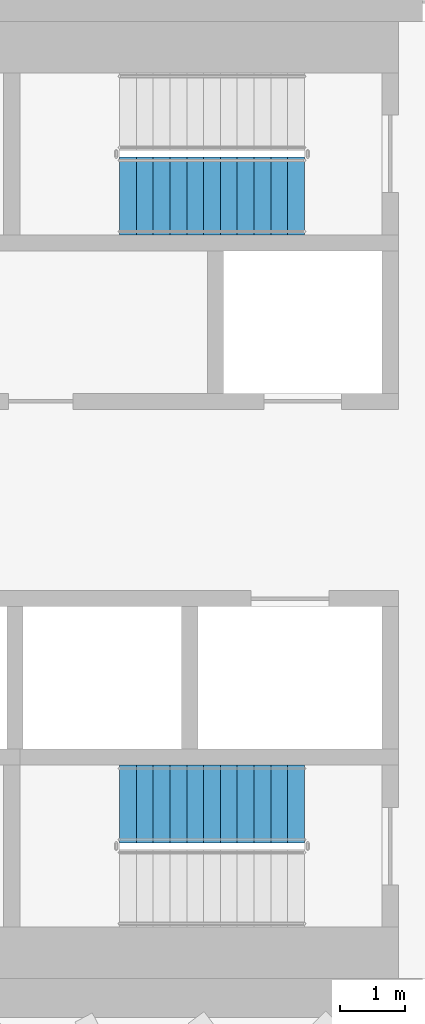
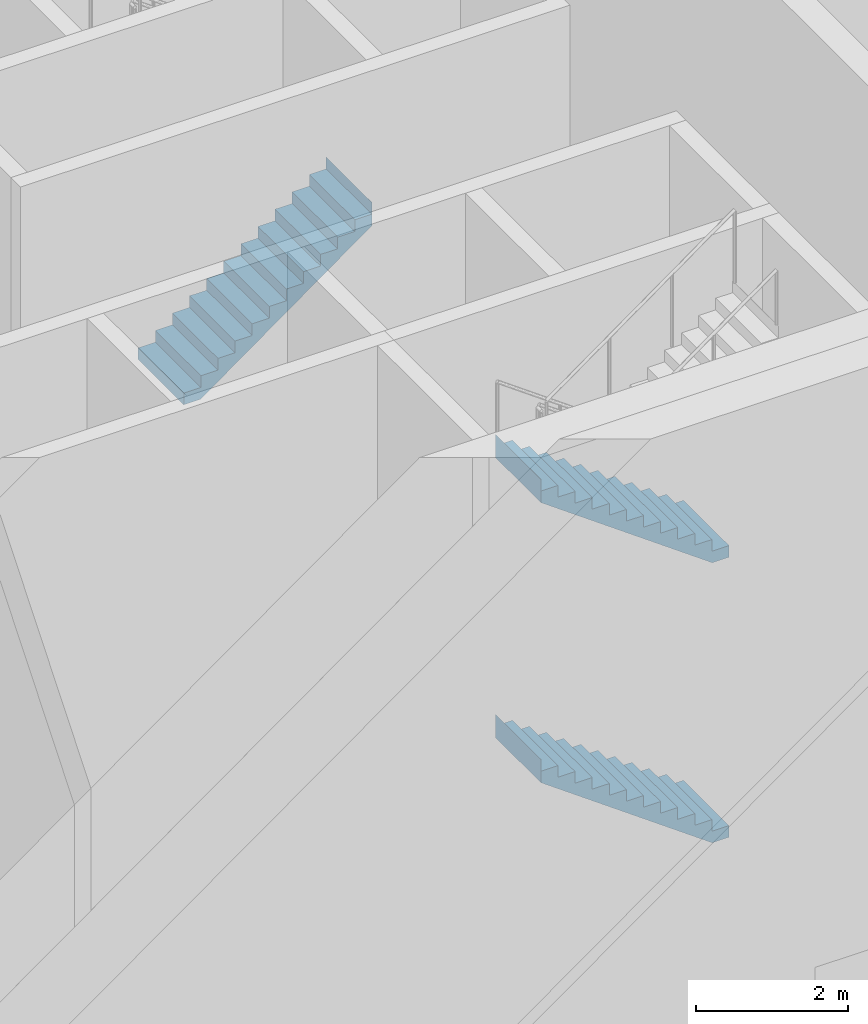
# One storey, part 21 of 35: 3 stair flights, 2 elements without a shape of their own.
"""IFC4 building model written with IfcOpenShell, lengths in metres."""

from ifc_helpers import new_model, si_unit, direction, frame, origin, place, context, subcontext, project, spatial, triangles, material, type_object, element, aggregate, save


model = new_model("IFC4")

# Units and contexts
model_context = context("Model", 3, precision=1e-05, world=origin(), true_north=direction((0.0, 1.0)))
body_context = subcontext(model_context, "Body", "Model", "MODEL_VIEW")
ifc_project = project(units=[si_unit("LENGTHUNIT", "METRE"), si_unit("AREAUNIT", "SQUARE_METRE"), si_unit("VOLUMEUNIT", "CUBIC_METRE"), si_unit("PLANEANGLEUNIT", "RADIAN"), si_unit("MASSUNIT", "GRAM", prefix="KILO")], contexts=[model_context])

# Site, building, storey
site_placement = place(None, origin())
site = spatial("IfcSite", under=ifc_project, at=site_placement, CompositionType="ELEMENT")
building_placement = place(site_placement, origin())
building = spatial("IfcBuilding", under=site, at=building_placement, Name="Sahrelin Media Tower", CompositionType="ELEMENT")
storey_placement = place(building_placement, frame((0.0, 0.0, 17.0)))
storey = spatial("IfcBuildingStorey", under=building, at=storey_placement, Name="L02", CompositionType="ELEMENT", Elevation=17.0)

# Stair, stair flight
ifc_material = material(Name="Concrete C40/50", Category="concrete")
stair_type = type_object("IfcStairType", Name="Exit stair 1200", PredefinedType="HALF_TURN_STAIR", material=ifc_material)
placement = place(storey_placement, origin())
stair_1 = element("IfcStair", 1, at=placement, inside=storey, type_object=stair_type, Name="L02 Exit stair ST3", PredefinedType="HALF_TURN_STAIR")
stair_flight_type = type_object("IfcStairFlightType", Name="Stair flight 1200", PredefinedType="STRAIGHT", material=ifc_material)
stair_flight_1_placement = place(storey_placement, frame((4.81494140625, 4.699951171875, 2.25), z_axis=(0.0, 0.0, 1.0), x_axis=(1.0, 0.0, 0.0)))
stair_flight_1 = element("IfcStairFlight", 2, at=stair_flight_1_placement, type_object=stair_flight_type, Name="ST3 flight 2", NumberOfRisers=12, NumberOfTreads=11, PredefinedType="STRAIGHT", RiserHeight=0.1875, TreadLength=0.26, context=body_context, shape_type="Tessellation", body=[
    triangles([(0.25634765625, 0.60009765625, 0.0), (0.25634765625, 0.300048828125, 0.0), (0.25634765625, 0.0, 0.0), (0.25634765625, -0.300048828125, 0.0), (0.25634765625, -0.60009765625, 0.0), (2.860107421875, 0.60009765625, 1.877685546875), (2.860107421875, 0.300048828125, 1.877685546875), (2.860107421875, 0.0, 1.877685546875), (2.860107421875, -0.300048828125, 1.877685546875), (2.860107421875, -0.60009765625, 1.877685546875), (2.860107421875, 0.60009765625, 2.25), (2.860107421875, 0.300048828125, 2.25), (2.860107421875, 0.0, 2.25), (2.860107421875, -0.300048828125, 2.25), (2.860107421875, -0.60009765625, 2.25), (2.85791015625, 0.60009765625, 2.25), (2.85791015625, 0.300048828125, 2.25), (2.85791015625, 0.0, 2.25), (2.85791015625, -0.300048828125, 2.25), (2.85791015625, -0.60009765625, 2.25), (2.85791015625, 0.60009765625, 2.0625), (2.85791015625, 0.300048828125, 2.0625), (2.85791015625, 0.0, 2.0625), (2.85791015625, -0.300048828125, 2.0625), (2.85791015625, -0.60009765625, 2.0625), (2.60009765625, 0.60009765625, 2.0625), (2.60009765625, 0.300048828125, 2.0625), (2.60009765625, 0.0, 2.0625), (2.60009765625, -0.300048828125, 2.0625), (2.60009765625, -0.60009765625, 2.0625), (2.60009765625, 0.60009765625, 1.875), (2.60009765625, 0.300048828125, 1.875), (2.60009765625, 0.0, 1.875), (2.60009765625, -0.300048828125, 1.875), (2.60009765625, -0.60009765625, 1.875), (2.340087890625, 0.60009765625, 1.875), (2.340087890625, 0.300048828125, 1.875), (2.340087890625, 0.0, 1.875), (2.340087890625, -0.300048828125, 1.875), (2.340087890625, -0.60009765625, 1.875), (2.340087890625, 0.60009765625, 1.6875), (2.340087890625, 0.300048828125, 1.6875), (2.340087890625, 0.0, 1.6875), (2.340087890625, -0.300048828125, 1.6875), (2.340087890625, -0.60009765625, 1.6875), (2.080078125, 0.60009765625, 1.6875), (2.080078125, 0.300048828125, 1.6875), (2.080078125, 0.0, 1.6875), (2.080078125, -0.300048828125, 1.6875), (2.080078125, -0.60009765625, 1.6875), (2.080078125, 0.60009765625, 1.5), (2.080078125, 0.300048828125, 1.5), (2.080078125, 0.0, 1.5), (2.080078125, -0.300048828125, 1.5), (2.080078125, -0.60009765625, 1.5), (1.820068359375, 0.60009765625, 1.5), (1.820068359375, 0.300048828125, 1.5), (1.820068359375, 0.0, 1.5), (1.820068359375, -0.300048828125, 1.5), (1.820068359375, -0.60009765625, 1.5), (1.820068359375, 0.60009765625, 1.3125), (1.820068359375, 0.300048828125, 1.3125), (1.820068359375, 0.0, 1.3125), (1.820068359375, -0.300048828125, 1.3125), (1.820068359375, -0.60009765625, 1.3125), (1.56005859375, 0.60009765625, 1.3125), (1.56005859375, 0.300048828125, 1.3125), (1.56005859375, 0.0, 1.3125), (1.56005859375, -0.300048828125, 1.3125), (1.56005859375, -0.60009765625, 1.3125), (1.56005859375, 0.60009765625, 1.125), (1.56005859375, 0.300048828125, 1.125), (1.56005859375, 0.0, 1.125), (1.56005859375, -0.300048828125, 1.125), (1.56005859375, -0.60009765625, 1.125), (1.300048828125, 0.60009765625, 1.125), (1.300048828125, 0.300048828125, 1.125), (1.300048828125, 0.0, 1.125), (1.300048828125, -0.300048828125, 1.125), (1.300048828125, -0.60009765625, 1.125), (1.300048828125, 0.60009765625, 0.9375), (1.300048828125, 0.300048828125, 0.9375), (1.300048828125, 0.0, 0.9375), (1.300048828125, -0.300048828125, 0.9375), (1.300048828125, -0.60009765625, 0.9375), (1.0400390625, 0.60009765625, 0.9375), (1.0400390625, 0.300048828125, 0.9375), (1.0400390625, 0.0, 0.9375), (1.0400390625, -0.300048828125, 0.9375), (1.0400390625, -0.60009765625, 0.9375), (1.0400390625, 0.60009765625, 0.75), (1.0400390625, 0.300048828125, 0.75), (1.0400390625, 0.0, 0.75), (1.0400390625, -0.300048828125, 0.75), (1.0400390625, -0.60009765625, 0.75), (0.780029296875, 0.60009765625, 0.75), (0.780029296875, 0.300048828125, 0.75), (0.780029296875, 0.0, 0.75), (0.780029296875, -0.300048828125, 0.75), (0.780029296875, -0.60009765625, 0.75), (0.780029296875, 0.60009765625, 0.5625), (0.780029296875, 0.300048828125, 0.5625), (0.780029296875, 0.0, 0.5625), (0.780029296875, -0.300048828125, 0.5625), (0.780029296875, -0.60009765625, 0.5625), (0.52001953125, 0.60009765625, 0.5625), (0.52001953125, 0.300048828125, 0.5625), (0.52001953125, 0.0, 0.5625), (0.52001953125, -0.300048828125, 0.5625), (0.52001953125, -0.60009765625, 0.5625), (0.52001953125, 0.60009765625, 0.375), (0.52001953125, 0.300048828125, 0.375), (0.52001953125, 0.0, 0.375), (0.52001953125, -0.300048828125, 0.375), (0.52001953125, -0.60009765625, 0.375), (0.260009765625, 0.60009765625, 0.375), (0.260009765625, 0.300048828125, 0.375), (0.260009765625, 0.0, 0.375), (0.260009765625, -0.300048828125, 0.375), (0.260009765625, -0.60009765625, 0.375), (0.260009765625, 0.60009765625, 0.1875), (0.260009765625, 0.300048828125, 0.1875), (0.260009765625, 0.0, 0.1875), (0.260009765625, -0.300048828125, 0.1875), (0.260009765625, -0.60009765625, 0.1875), (0.0, 0.60009765625, 0.1875), (0.0, 0.300048828125, 0.1875), (0.0, 0.0, 0.1875), (0.0, -0.300048828125, 0.1875), (0.0, -0.60009765625, 0.1875), (0.0, 0.60009765625, 0.0), (0.0, 0.300048828125, 0.0), (0.0, 0.0, 0.0), (0.0, -0.300048828125, 0.0), (0.0, -0.60009765625, 0.0)], [[1, 6, 7], [1, 7, 2], [2, 7, 8], [2, 8, 3], [3, 8, 9], [3, 9, 4], [4, 9, 10], [4, 10, 5], [6, 11, 12], [6, 12, 7], [7, 12, 13], [7, 13, 8], [8, 13, 14], [8, 14, 9], [9, 14, 15], [9, 15, 10], [11, 16, 17], [11, 17, 12], [12, 17, 18], [12, 18, 13], [13, 18, 19], [13, 19, 14], [14, 19, 20], [14, 20, 15], [16, 21, 22], [16, 22, 17], [17, 22, 23], [17, 23, 18], [18, 23, 24], [18, 24, 19], [19, 24, 25], [19, 25, 20], [21, 26, 27], [21, 27, 22], [22, 27, 28], [22, 28, 23], [23, 28, 29], [23, 29, 24], [24, 29, 30], [24, 30, 25], [26, 31, 32], [26, 32, 27], [27, 32, 33], [27, 33, 28], [28, 33, 34], [28, 34, 29], [29, 34, 35], [29, 35, 30], [31, 36, 37], [31, 37, 32], [32, 37, 38], [32, 38, 33], [33, 38, 39], [33, 39, 34], [34, 39, 40], [34, 40, 35], [36, 41, 42], [36, 42, 37], [37, 42, 43], [37, 43, 38], [38, 43, 44], [38, 44, 39], [39, 44, 45], [39, 45, 40], [41, 46, 47], [41, 47, 42], [42, 47, 48], [42, 48, 43], [43, 48, 49], [43, 49, 44], [44, 49, 50], [44, 50, 45], [46, 51, 52], [46, 52, 47], [47, 52, 53], [47, 53, 48], [48, 53, 54], [48, 54, 49], [49, 54, 55], [49, 55, 50], [51, 56, 57], [51, 57, 52], [52, 57, 58], [52, 58, 53], [53, 58, 59], [53, 59, 54], [54, 59, 60], [54, 60, 55], [56, 61, 62], [56, 62, 57], [57, 62, 63], [57, 63, 58], [58, 63, 64], [58, 64, 59], [59, 64, 65], [59, 65, 60], [61, 66, 67], [61, 67, 62], [62, 67, 68], [62, 68, 63], [63, 68, 69], [63, 69, 64], [64, 69, 70], [64, 70, 65], [66, 71, 72], [66, 72, 67], [67, 72, 73], [67, 73, 68], [68, 73, 74], [68, 74, 69], [69, 74, 75], [69, 75, 70], [71, 76, 77], [71, 77, 72], [72, 77, 78], [72, 78, 73], [73, 78, 79], [73, 79, 74], [74, 79, 80], [74, 80, 75], [76, 81, 82], [76, 82, 77], [77, 82, 83], [77, 83, 78], [78, 83, 84], [78, 84, 79], [79, 84, 85], [79, 85, 80], [81, 86, 87], [81, 87, 82], [82, 87, 88], [82, 88, 83], [83, 88, 89], [83, 89, 84], [84, 89, 90], [84, 90, 85], [86, 91, 92], [86, 92, 87], [87, 92, 93], [87, 93, 88], [88, 93, 94], [88, 94, 89], [89, 94, 95], [89, 95, 90], [91, 96, 97], [91, 97, 92], [92, 97, 98], [92, 98, 93], [93, 98, 99], [93, 99, 94], [94, 99, 100], [94, 100, 95], [96, 101, 102], [96, 102, 97], [97, 102, 103], [97, 103, 98], [98, 103, 104], [98, 104, 99], [99, 104, 105], [99, 105, 100], [101, 106, 107], [101, 107, 102], [102, 107, 108], [102, 108, 103], [103, 108, 109], [103, 109, 104], [104, 109, 110], [104, 110, 105], [106, 111, 112], [106, 112, 107], [107, 112, 113], [107, 113, 108], [108, 113, 114], [108, 114, 109], [109, 114, 115], [109, 115, 110], [111, 116, 117], [111, 117, 112], [112, 117, 118], [112, 118, 113], [113, 118, 119], [113, 119, 114], [114, 119, 120], [114, 120, 115], [116, 121, 122], [116, 122, 117], [117, 122, 123], [117, 123, 118], [118, 123, 124], [118, 124, 119], [119, 124, 125], [119, 125, 120], [121, 126, 127], [121, 127, 122], [122, 127, 128], [122, 128, 123], [123, 128, 129], [123, 129, 124], [124, 129, 130], [124, 130, 125], [126, 131, 132], [126, 132, 127], [127, 132, 133], [127, 133, 128], [128, 133, 134], [128, 134, 129], [129, 134, 135], [129, 135, 130], [131, 1, 2], [131, 2, 132], [132, 2, 3], [132, 3, 133], [133, 3, 4], [133, 4, 134], [134, 4, 5], [134, 5, 135], [5, 130, 135], [1, 131, 126], [125, 115, 120], [121, 116, 111], [115, 105, 110], [111, 106, 101], [105, 95, 100], [101, 96, 91], [95, 85, 90], [91, 86, 81], [85, 75, 80], [81, 76, 71], [75, 65, 70], [71, 66, 61], [65, 55, 60], [61, 56, 51], [55, 45, 50], [51, 46, 41], [45, 35, 40], [41, 36, 31], [35, 25, 30], [31, 26, 21], [25, 15, 20], [21, 16, 11], [5, 125, 130], [1, 126, 121], [10, 35, 45], [6, 41, 31], [25, 10, 15], [21, 11, 6], [115, 125, 5], [111, 1, 121], [35, 10, 25], [31, 21, 6], [105, 115, 5], [101, 1, 111], [45, 55, 10], [41, 6, 51], [95, 105, 5], [91, 1, 101], [65, 10, 55], [61, 51, 6], [85, 95, 5], [81, 1, 91], [75, 10, 65], [71, 61, 6], [75, 85, 5], [71, 1, 81], [5, 10, 75], [1, 71, 6]], closed=True),
])
aggregate(stair_1, [stair_flight_1])

# Stair, stair flights
stair_2 = element("IfcStair", 3, at=placement, inside=storey, type_object=stair_type, Name="L02 Exit stair ST2", PredefinedType="HALF_TURN_STAIR")
stair_flight_2_placement = place(storey_placement, frame((7.675048828125, -4.699951171875, 0.0), z_axis=(0.0, 0.0, 1.0), x_axis=(-1.0, 0.0, 0.0)))
stair_flight_2 = element("IfcStairFlight", 4, at=stair_flight_2_placement, type_object=stair_flight_type, Name="ST2 flight 1", NumberOfRisers=12, NumberOfTreads=11, PredefinedType="STRAIGHT", RiserHeight=0.1875, TreadLength=0.26, context=body_context, shape_type="Tessellation", body=[
    triangles([(0.25634765625, 0.60009765625, 0.0), (0.25634765625, 0.300048828125, 0.0), (0.25634765625, 0.0, 0.0), (0.25634765625, -0.300048828125, 0.0), (0.25634765625, -0.60009765625, 0.0), (2.860107421875, 0.60009765625, 1.877685546875), (2.860107421875, 0.300048828125, 1.877685546875), (2.860107421875, 0.0, 1.877685546875), (2.860107421875, -0.300048828125, 1.877685546875), (2.860107421875, -0.60009765625, 1.877685546875), (2.860107421875, 0.60009765625, 2.25), (2.860107421875, 0.300048828125, 2.25), (2.860107421875, 0.0, 2.25), (2.860107421875, -0.300048828125, 2.25), (2.860107421875, -0.60009765625, 2.25), (2.85791015625, 0.60009765625, 2.25), (2.85791015625, 0.300048828125, 2.25), (2.85791015625, 0.0, 2.25), (2.85791015625, -0.300048828125, 2.25), (2.85791015625, -0.60009765625, 2.25), (2.85791015625, 0.60009765625, 2.0625), (2.85791015625, 0.300048828125, 2.0625), (2.85791015625, 0.0, 2.0625), (2.85791015625, -0.300048828125, 2.0625), (2.85791015625, -0.60009765625, 2.0625), (2.60009765625, 0.60009765625, 2.0625), (2.60009765625, 0.300048828125, 2.0625), (2.60009765625, 0.0, 2.0625), (2.60009765625, -0.300048828125, 2.0625), (2.60009765625, -0.60009765625, 2.0625), (2.60009765625, 0.60009765625, 1.875), (2.60009765625, 0.300048828125, 1.875), (2.60009765625, 0.0, 1.875), (2.60009765625, -0.300048828125, 1.875), (2.60009765625, -0.60009765625, 1.875), (2.340087890625, 0.60009765625, 1.875), (2.340087890625, 0.300048828125, 1.875), (2.340087890625, 0.0, 1.875), (2.340087890625, -0.300048828125, 1.875), (2.340087890625, -0.60009765625, 1.875), (2.340087890625, 0.60009765625, 1.6875), (2.340087890625, 0.300048828125, 1.6875), (2.340087890625, 0.0, 1.6875), (2.340087890625, -0.300048828125, 1.6875), (2.340087890625, -0.60009765625, 1.6875), (2.080078125, 0.60009765625, 1.6875), (2.080078125, 0.300048828125, 1.6875), (2.080078125, 0.0, 1.6875), (2.080078125, -0.300048828125, 1.6875), (2.080078125, -0.60009765625, 1.6875), (2.080078125, 0.60009765625, 1.5), (2.080078125, 0.300048828125, 1.5), (2.080078125, 0.0, 1.5), (2.080078125, -0.300048828125, 1.5), (2.080078125, -0.60009765625, 1.5), (1.820068359375, 0.60009765625, 1.5), (1.820068359375, 0.300048828125, 1.5), (1.820068359375, 0.0, 1.5), (1.820068359375, -0.300048828125, 1.5), (1.820068359375, -0.60009765625, 1.5), (1.820068359375, 0.60009765625, 1.3125), (1.820068359375, 0.300048828125, 1.3125), (1.820068359375, 0.0, 1.3125), (1.820068359375, -0.300048828125, 1.3125), (1.820068359375, -0.60009765625, 1.3125), (1.56005859375, 0.60009765625, 1.3125), (1.56005859375, 0.300048828125, 1.3125), (1.56005859375, 0.0, 1.3125), (1.56005859375, -0.300048828125, 1.3125), (1.56005859375, -0.60009765625, 1.3125), (1.56005859375, 0.60009765625, 1.125), (1.56005859375, 0.300048828125, 1.125), (1.56005859375, 0.0, 1.125), (1.56005859375, -0.300048828125, 1.125), (1.56005859375, -0.60009765625, 1.125), (1.300048828125, 0.60009765625, 1.125), (1.300048828125, 0.300048828125, 1.125), (1.300048828125, 0.0, 1.125), (1.300048828125, -0.300048828125, 1.125), (1.300048828125, -0.60009765625, 1.125), (1.300048828125, 0.60009765625, 0.9375), (1.300048828125, 0.300048828125, 0.9375), (1.300048828125, 0.0, 0.9375), (1.300048828125, -0.300048828125, 0.9375), (1.300048828125, -0.60009765625, 0.9375), (1.0400390625, 0.60009765625, 0.9375), (1.0400390625, 0.300048828125, 0.9375), (1.0400390625, 0.0, 0.9375), (1.0400390625, -0.300048828125, 0.9375), (1.0400390625, -0.60009765625, 0.9375), (1.0400390625, 0.60009765625, 0.75), (1.0400390625, 0.300048828125, 0.75), (1.0400390625, 0.0, 0.75), (1.0400390625, -0.300048828125, 0.75), (1.0400390625, -0.60009765625, 0.75), (0.780029296875, 0.60009765625, 0.75), (0.780029296875, 0.300048828125, 0.75), (0.780029296875, 0.0, 0.75), (0.780029296875, -0.300048828125, 0.75), (0.780029296875, -0.60009765625, 0.75), (0.780029296875, 0.60009765625, 0.5625), (0.780029296875, 0.300048828125, 0.5625), (0.780029296875, 0.0, 0.5625), (0.780029296875, -0.300048828125, 0.5625), (0.780029296875, -0.60009765625, 0.5625), (0.52001953125, 0.60009765625, 0.5625), (0.52001953125, 0.300048828125, 0.5625), (0.52001953125, 0.0, 0.5625), (0.52001953125, -0.300048828125, 0.5625), (0.52001953125, -0.60009765625, 0.5625), (0.52001953125, 0.60009765625, 0.375), (0.52001953125, 0.300048828125, 0.375), (0.52001953125, 0.0, 0.375), (0.52001953125, -0.300048828125, 0.375), (0.52001953125, -0.60009765625, 0.375), (0.260009765625, 0.60009765625, 0.375), (0.260009765625, 0.300048828125, 0.375), (0.260009765625, 0.0, 0.375), (0.260009765625, -0.300048828125, 0.375), (0.260009765625, -0.60009765625, 0.375), (0.260009765625, 0.60009765625, 0.1875), (0.260009765625, 0.300048828125, 0.1875), (0.260009765625, 0.0, 0.1875), (0.260009765625, -0.300048828125, 0.1875), (0.260009765625, -0.60009765625, 0.1875), (0.0, 0.60009765625, 0.1875), (0.0, 0.300048828125, 0.1875), (0.0, 0.0, 0.1875), (0.0, -0.300048828125, 0.1875), (0.0, -0.60009765625, 0.1875), (0.0, 0.60009765625, 0.0), (0.0, 0.300048828125, 0.0), (0.0, 0.0, 0.0), (0.0, -0.300048828125, 0.0), (0.0, -0.60009765625, 0.0)], [[1, 6, 7], [1, 7, 2], [2, 7, 8], [2, 8, 3], [3, 8, 9], [3, 9, 4], [4, 9, 10], [4, 10, 5], [6, 11, 12], [6, 12, 7], [7, 12, 13], [7, 13, 8], [8, 13, 14], [8, 14, 9], [9, 14, 15], [9, 15, 10], [11, 16, 17], [11, 17, 12], [12, 17, 18], [12, 18, 13], [13, 18, 19], [13, 19, 14], [14, 19, 20], [14, 20, 15], [16, 21, 22], [16, 22, 17], [17, 22, 23], [17, 23, 18], [18, 23, 24], [18, 24, 19], [19, 24, 25], [19, 25, 20], [21, 26, 27], [21, 27, 22], [22, 27, 28], [22, 28, 23], [23, 28, 29], [23, 29, 24], [24, 29, 30], [24, 30, 25], [26, 31, 32], [26, 32, 27], [27, 32, 33], [27, 33, 28], [28, 33, 34], [28, 34, 29], [29, 34, 35], [29, 35, 30], [31, 36, 37], [31, 37, 32], [32, 37, 38], [32, 38, 33], [33, 38, 39], [33, 39, 34], [34, 39, 40], [34, 40, 35], [36, 41, 42], [36, 42, 37], [37, 42, 43], [37, 43, 38], [38, 43, 44], [38, 44, 39], [39, 44, 45], [39, 45, 40], [41, 46, 47], [41, 47, 42], [42, 47, 48], [42, 48, 43], [43, 48, 49], [43, 49, 44], [44, 49, 50], [44, 50, 45], [46, 51, 52], [46, 52, 47], [47, 52, 53], [47, 53, 48], [48, 53, 54], [48, 54, 49], [49, 54, 55], [49, 55, 50], [51, 56, 57], [51, 57, 52], [52, 57, 58], [52, 58, 53], [53, 58, 59], [53, 59, 54], [54, 59, 60], [54, 60, 55], [56, 61, 62], [56, 62, 57], [57, 62, 63], [57, 63, 58], [58, 63, 64], [58, 64, 59], [59, 64, 65], [59, 65, 60], [61, 66, 67], [61, 67, 62], [62, 67, 68], [62, 68, 63], [63, 68, 69], [63, 69, 64], [64, 69, 70], [64, 70, 65], [66, 71, 72], [66, 72, 67], [67, 72, 73], [67, 73, 68], [68, 73, 74], [68, 74, 69], [69, 74, 75], [69, 75, 70], [71, 76, 77], [71, 77, 72], [72, 77, 78], [72, 78, 73], [73, 78, 79], [73, 79, 74], [74, 79, 80], [74, 80, 75], [76, 81, 82], [76, 82, 77], [77, 82, 83], [77, 83, 78], [78, 83, 84], [78, 84, 79], [79, 84, 85], [79, 85, 80], [81, 86, 87], [81, 87, 82], [82, 87, 88], [82, 88, 83], [83, 88, 89], [83, 89, 84], [84, 89, 90], [84, 90, 85], [86, 91, 92], [86, 92, 87], [87, 92, 93], [87, 93, 88], [88, 93, 94], [88, 94, 89], [89, 94, 95], [89, 95, 90], [91, 96, 97], [91, 97, 92], [92, 97, 98], [92, 98, 93], [93, 98, 99], [93, 99, 94], [94, 99, 100], [94, 100, 95], [96, 101, 102], [96, 102, 97], [97, 102, 103], [97, 103, 98], [98, 103, 104], [98, 104, 99], [99, 104, 105], [99, 105, 100], [101, 106, 107], [101, 107, 102], [102, 107, 108], [102, 108, 103], [103, 108, 109], [103, 109, 104], [104, 109, 110], [104, 110, 105], [106, 111, 112], [106, 112, 107], [107, 112, 113], [107, 113, 108], [108, 113, 114], [108, 114, 109], [109, 114, 115], [109, 115, 110], [111, 116, 117], [111, 117, 112], [112, 117, 118], [112, 118, 113], [113, 118, 119], [113, 119, 114], [114, 119, 120], [114, 120, 115], [116, 121, 122], [116, 122, 117], [117, 122, 123], [117, 123, 118], [118, 123, 124], [118, 124, 119], [119, 124, 125], [119, 125, 120], [121, 126, 127], [121, 127, 122], [122, 127, 128], [122, 128, 123], [123, 128, 129], [123, 129, 124], [124, 129, 130], [124, 130, 125], [126, 131, 132], [126, 132, 127], [127, 132, 133], [127, 133, 128], [128, 133, 134], [128, 134, 129], [129, 134, 135], [129, 135, 130], [131, 1, 2], [131, 2, 132], [132, 2, 3], [132, 3, 133], [133, 3, 4], [133, 4, 134], [134, 4, 5], [134, 5, 135], [5, 130, 135], [1, 131, 126], [125, 115, 120], [121, 116, 111], [115, 105, 110], [111, 106, 101], [105, 95, 100], [101, 96, 91], [95, 85, 90], [91, 86, 81], [85, 75, 80], [81, 76, 71], [75, 65, 70], [71, 66, 61], [65, 55, 60], [61, 56, 51], [55, 45, 50], [51, 46, 41], [45, 35, 40], [41, 36, 31], [35, 25, 30], [31, 26, 21], [25, 15, 20], [21, 16, 11], [5, 125, 130], [1, 126, 121], [10, 35, 45], [6, 41, 31], [25, 10, 15], [21, 11, 6], [115, 125, 5], [111, 1, 121], [35, 10, 25], [31, 21, 6], [105, 115, 5], [101, 1, 111], [45, 55, 10], [41, 6, 51], [95, 105, 5], [91, 1, 101], [65, 10, 55], [61, 51, 6], [85, 95, 5], [81, 1, 91], [75, 10, 65], [71, 61, 6], [75, 85, 5], [71, 1, 81], [5, 10, 75], [1, 71, 6]], closed=True),
])
stair_flight_3_placement = place(storey_placement, frame((7.675048828125, -4.699951171875, 4.5), z_axis=(0.0, 0.0, 1.0), x_axis=(-1.0, 0.0, 0.0)))
stair_flight_3 = element("IfcStairFlight", 5, at=stair_flight_3_placement, type_object=stair_flight_type, Name="ST2 flight 3", NumberOfRisers=12, NumberOfTreads=11, PredefinedType="STRAIGHT", RiserHeight=0.1875, TreadLength=0.26, context=body_context, shape_type="Tessellation", body=[
    triangles([(0.25634765625, 0.60009765625, 0.0), (0.25634765625, 0.300048828125, 0.0), (0.25634765625, 0.0, 0.0), (0.25634765625, -0.300048828125, 0.0), (0.25634765625, -0.60009765625, 0.0), (2.860107421875, 0.60009765625, 1.877685546875), (2.860107421875, 0.300048828125, 1.877685546875), (2.860107421875, 0.0, 1.877685546875), (2.860107421875, -0.300048828125, 1.877685546875), (2.860107421875, -0.60009765625, 1.877685546875), (2.860107421875, 0.60009765625, 2.25), (2.860107421875, 0.300048828125, 2.25), (2.860107421875, 0.0, 2.25), (2.860107421875, -0.300048828125, 2.25), (2.860107421875, -0.60009765625, 2.25), (2.85791015625, 0.60009765625, 2.25), (2.85791015625, 0.300048828125, 2.25), (2.85791015625, 0.0, 2.25), (2.85791015625, -0.300048828125, 2.25), (2.85791015625, -0.60009765625, 2.25), (2.85791015625, 0.60009765625, 2.0625), (2.85791015625, 0.300048828125, 2.0625), (2.85791015625, 0.0, 2.0625), (2.85791015625, -0.300048828125, 2.0625), (2.85791015625, -0.60009765625, 2.0625), (2.60009765625, 0.60009765625, 2.0625), (2.60009765625, 0.300048828125, 2.0625), (2.60009765625, 0.0, 2.0625), (2.60009765625, -0.300048828125, 2.0625), (2.60009765625, -0.60009765625, 2.0625), (2.60009765625, 0.60009765625, 1.875), (2.60009765625, 0.300048828125, 1.875), (2.60009765625, 0.0, 1.875), (2.60009765625, -0.300048828125, 1.875), (2.60009765625, -0.60009765625, 1.875), (2.340087890625, 0.60009765625, 1.875), (2.340087890625, 0.300048828125, 1.875), (2.340087890625, 0.0, 1.875), (2.340087890625, -0.300048828125, 1.875), (2.340087890625, -0.60009765625, 1.875), (2.340087890625, 0.60009765625, 1.6875), (2.340087890625, 0.300048828125, 1.6875), (2.340087890625, 0.0, 1.6875), (2.340087890625, -0.300048828125, 1.6875), (2.340087890625, -0.60009765625, 1.6875), (2.080078125, 0.60009765625, 1.6875), (2.080078125, 0.300048828125, 1.6875), (2.080078125, 0.0, 1.6875), (2.080078125, -0.300048828125, 1.6875), (2.080078125, -0.60009765625, 1.6875), (2.080078125, 0.60009765625, 1.5), (2.080078125, 0.300048828125, 1.5), (2.080078125, 0.0, 1.5), (2.080078125, -0.300048828125, 1.5), (2.080078125, -0.60009765625, 1.5), (1.820068359375, 0.60009765625, 1.5), (1.820068359375, 0.300048828125, 1.5), (1.820068359375, 0.0, 1.5), (1.820068359375, -0.300048828125, 1.5), (1.820068359375, -0.60009765625, 1.5), (1.820068359375, 0.60009765625, 1.3125), (1.820068359375, 0.300048828125, 1.3125), (1.820068359375, 0.0, 1.3125), (1.820068359375, -0.300048828125, 1.3125), (1.820068359375, -0.60009765625, 1.3125), (1.56005859375, 0.60009765625, 1.3125), (1.56005859375, 0.300048828125, 1.3125), (1.56005859375, 0.0, 1.3125), (1.56005859375, -0.300048828125, 1.3125), (1.56005859375, -0.60009765625, 1.3125), (1.56005859375, 0.60009765625, 1.125), (1.56005859375, 0.300048828125, 1.125), (1.56005859375, 0.0, 1.125), (1.56005859375, -0.300048828125, 1.125), (1.56005859375, -0.60009765625, 1.125), (1.300048828125, 0.60009765625, 1.125), (1.300048828125, 0.300048828125, 1.125), (1.300048828125, 0.0, 1.125), (1.300048828125, -0.300048828125, 1.125), (1.300048828125, -0.60009765625, 1.125), (1.300048828125, 0.60009765625, 0.9375), (1.300048828125, 0.300048828125, 0.9375), (1.300048828125, 0.0, 0.9375), (1.300048828125, -0.300048828125, 0.9375), (1.300048828125, -0.60009765625, 0.9375), (1.0400390625, 0.60009765625, 0.9375), (1.0400390625, 0.300048828125, 0.9375), (1.0400390625, 0.0, 0.9375), (1.0400390625, -0.300048828125, 0.9375), (1.0400390625, -0.60009765625, 0.9375), (1.0400390625, 0.60009765625, 0.75), (1.0400390625, 0.300048828125, 0.75), (1.0400390625, 0.0, 0.75), (1.0400390625, -0.300048828125, 0.75), (1.0400390625, -0.60009765625, 0.75), (0.780029296875, 0.60009765625, 0.75), (0.780029296875, 0.300048828125, 0.75), (0.780029296875, 0.0, 0.75), (0.780029296875, -0.300048828125, 0.75), (0.780029296875, -0.60009765625, 0.75), (0.780029296875, 0.60009765625, 0.5625), (0.780029296875, 0.300048828125, 0.5625), (0.780029296875, 0.0, 0.5625), (0.780029296875, -0.300048828125, 0.5625), (0.780029296875, -0.60009765625, 0.5625), (0.52001953125, 0.60009765625, 0.5625), (0.52001953125, 0.300048828125, 0.5625), (0.52001953125, 0.0, 0.5625), (0.52001953125, -0.300048828125, 0.5625), (0.52001953125, -0.60009765625, 0.5625), (0.52001953125, 0.60009765625, 0.375), (0.52001953125, 0.300048828125, 0.375), (0.52001953125, 0.0, 0.375), (0.52001953125, -0.300048828125, 0.375), (0.52001953125, -0.60009765625, 0.375), (0.260009765625, 0.60009765625, 0.375), (0.260009765625, 0.300048828125, 0.375), (0.260009765625, 0.0, 0.375), (0.260009765625, -0.300048828125, 0.375), (0.260009765625, -0.60009765625, 0.375), (0.260009765625, 0.60009765625, 0.1875), (0.260009765625, 0.300048828125, 0.1875), (0.260009765625, 0.0, 0.1875), (0.260009765625, -0.300048828125, 0.1875), (0.260009765625, -0.60009765625, 0.1875), (0.0, 0.60009765625, 0.1875), (0.0, 0.300048828125, 0.1875), (0.0, 0.0, 0.1875), (0.0, -0.300048828125, 0.1875), (0.0, -0.60009765625, 0.1875), (0.0, 0.60009765625, 0.0), (0.0, 0.300048828125, 0.0), (0.0, 0.0, 0.0), (0.0, -0.300048828125, 0.0), (0.0, -0.60009765625, 0.0)], [[1, 6, 7], [1, 7, 2], [2, 7, 8], [2, 8, 3], [3, 8, 9], [3, 9, 4], [4, 9, 10], [4, 10, 5], [6, 11, 12], [6, 12, 7], [7, 12, 13], [7, 13, 8], [8, 13, 14], [8, 14, 9], [9, 14, 15], [9, 15, 10], [11, 16, 17], [11, 17, 12], [12, 17, 18], [12, 18, 13], [13, 18, 19], [13, 19, 14], [14, 19, 20], [14, 20, 15], [16, 21, 22], [16, 22, 17], [17, 22, 23], [17, 23, 18], [18, 23, 24], [18, 24, 19], [19, 24, 25], [19, 25, 20], [21, 26, 27], [21, 27, 22], [22, 27, 28], [22, 28, 23], [23, 28, 29], [23, 29, 24], [24, 29, 30], [24, 30, 25], [26, 31, 32], [26, 32, 27], [27, 32, 33], [27, 33, 28], [28, 33, 34], [28, 34, 29], [29, 34, 35], [29, 35, 30], [31, 36, 37], [31, 37, 32], [32, 37, 38], [32, 38, 33], [33, 38, 39], [33, 39, 34], [34, 39, 40], [34, 40, 35], [36, 41, 42], [36, 42, 37], [37, 42, 43], [37, 43, 38], [38, 43, 44], [38, 44, 39], [39, 44, 45], [39, 45, 40], [41, 46, 47], [41, 47, 42], [42, 47, 48], [42, 48, 43], [43, 48, 49], [43, 49, 44], [44, 49, 50], [44, 50, 45], [46, 51, 52], [46, 52, 47], [47, 52, 53], [47, 53, 48], [48, 53, 54], [48, 54, 49], [49, 54, 55], [49, 55, 50], [51, 56, 57], [51, 57, 52], [52, 57, 58], [52, 58, 53], [53, 58, 59], [53, 59, 54], [54, 59, 60], [54, 60, 55], [56, 61, 62], [56, 62, 57], [57, 62, 63], [57, 63, 58], [58, 63, 64], [58, 64, 59], [59, 64, 65], [59, 65, 60], [61, 66, 67], [61, 67, 62], [62, 67, 68], [62, 68, 63], [63, 68, 69], [63, 69, 64], [64, 69, 70], [64, 70, 65], [66, 71, 72], [66, 72, 67], [67, 72, 73], [67, 73, 68], [68, 73, 74], [68, 74, 69], [69, 74, 75], [69, 75, 70], [71, 76, 77], [71, 77, 72], [72, 77, 78], [72, 78, 73], [73, 78, 79], [73, 79, 74], [74, 79, 80], [74, 80, 75], [76, 81, 82], [76, 82, 77], [77, 82, 83], [77, 83, 78], [78, 83, 84], [78, 84, 79], [79, 84, 85], [79, 85, 80], [81, 86, 87], [81, 87, 82], [82, 87, 88], [82, 88, 83], [83, 88, 89], [83, 89, 84], [84, 89, 90], [84, 90, 85], [86, 91, 92], [86, 92, 87], [87, 92, 93], [87, 93, 88], [88, 93, 94], [88, 94, 89], [89, 94, 95], [89, 95, 90], [91, 96, 97], [91, 97, 92], [92, 97, 98], [92, 98, 93], [93, 98, 99], [93, 99, 94], [94, 99, 100], [94, 100, 95], [96, 101, 102], [96, 102, 97], [97, 102, 103], [97, 103, 98], [98, 103, 104], [98, 104, 99], [99, 104, 105], [99, 105, 100], [101, 106, 107], [101, 107, 102], [102, 107, 108], [102, 108, 103], [103, 108, 109], [103, 109, 104], [104, 109, 110], [104, 110, 105], [106, 111, 112], [106, 112, 107], [107, 112, 113], [107, 113, 108], [108, 113, 114], [108, 114, 109], [109, 114, 115], [109, 115, 110], [111, 116, 117], [111, 117, 112], [112, 117, 118], [112, 118, 113], [113, 118, 119], [113, 119, 114], [114, 119, 120], [114, 120, 115], [116, 121, 122], [116, 122, 117], [117, 122, 123], [117, 123, 118], [118, 123, 124], [118, 124, 119], [119, 124, 125], [119, 125, 120], [121, 126, 127], [121, 127, 122], [122, 127, 128], [122, 128, 123], [123, 128, 129], [123, 129, 124], [124, 129, 130], [124, 130, 125], [126, 131, 132], [126, 132, 127], [127, 132, 133], [127, 133, 128], [128, 133, 134], [128, 134, 129], [129, 134, 135], [129, 135, 130], [131, 1, 2], [131, 2, 132], [132, 2, 3], [132, 3, 133], [133, 3, 4], [133, 4, 134], [134, 4, 5], [134, 5, 135], [5, 130, 135], [1, 131, 126], [125, 115, 120], [121, 116, 111], [115, 105, 110], [111, 106, 101], [105, 95, 100], [101, 96, 91], [95, 85, 90], [91, 86, 81], [85, 75, 80], [81, 76, 71], [75, 65, 70], [71, 66, 61], [65, 55, 60], [61, 56, 51], [55, 45, 50], [51, 46, 41], [45, 35, 40], [41, 36, 31], [35, 25, 30], [31, 26, 21], [25, 15, 20], [21, 16, 11], [5, 125, 130], [1, 126, 121], [10, 35, 45], [6, 41, 31], [25, 10, 15], [21, 11, 6], [115, 125, 5], [111, 1, 121], [35, 10, 25], [31, 21, 6], [105, 115, 5], [101, 1, 111], [45, 55, 10], [41, 6, 51], [95, 105, 5], [91, 1, 101], [65, 10, 55], [61, 51, 6], [85, 95, 5], [81, 1, 91], [75, 10, 65], [71, 61, 6], [75, 85, 5], [71, 1, 81], [5, 10, 75], [1, 71, 6]], closed=True),
])
aggregate(stair_2, [stair_flight_2, stair_flight_3])

save(model, "model.ifc")
